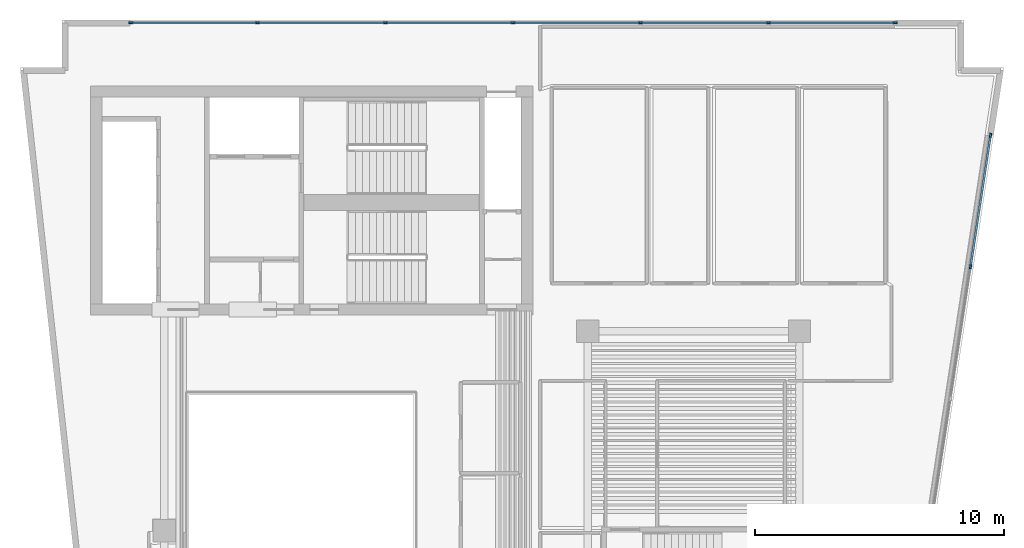
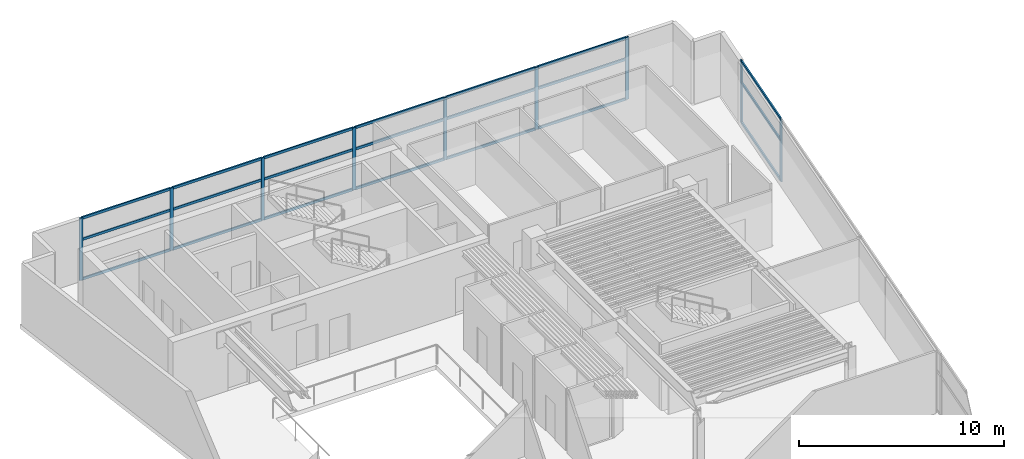
# One storey, part 2 of 8: 30 members, 2 elements without a shape of their own.
"""IFC4 building model written with IfcOpenShell, lengths in metres."""

from ifc_helpers import new_model, si_unit, direction, frame, origin, origin_2d, place, context, subcontext, project, spatial, rectangle, extrude, material, layer, layer_set, material_profile, profile_set, type_object, element, aggregate, save


model = new_model("IFC4")

# Units and contexts
model_context = context("Model", 3, precision=1e-05, world=origin(), true_north=direction((0.0, 1.0)))
body_context = subcontext(model_context, "Body", "Model", "MODEL_VIEW")
ifc_project = project(units=[si_unit("LENGTHUNIT", "METRE"), si_unit("AREAUNIT", "SQUARE_METRE"), si_unit("VOLUMEUNIT", "CUBIC_METRE"), si_unit("PLANEANGLEUNIT", "RADIAN"), si_unit("MASSUNIT", "GRAM", prefix="KILO")], contexts=[model_context])

# Site, building, storey
site_placement = place(None, origin())
site = spatial("IfcSite", under=ifc_project, at=site_placement, CompositionType="ELEMENT")
building_placement = place(site_placement, origin())
building = spatial("IfcBuilding", under=site, at=building_placement, Name="Caeloran Harvest Quay", CompositionType="ELEMENT")
storey_placement = place(building_placement, frame((0.0, 0.0, 243.0)))
storey = spatial("IfcBuildingStorey", under=building, at=storey_placement, Name="L58", CompositionType="ELEMENT", Elevation=243.0)

# Curtain wall, members
ifc_material_1 = material(Name="Aluminium 6063-T6 and Low-E Glazing", Category="aluminium")
ifc_layer = layer(ifc_material_1, 0.219970703125, Name="Aluminium 6063-T6 and Low-E Glazing")
ifc_layer_set = layer_set([ifc_layer], Name="Aluminium 6063-T6 and Low-E Glazing")
curtain_wall_type = type_object("IfcCurtainWallType", Name="CW-SYS-CW-5", PredefinedType="USERDEFINED", material=ifc_layer_set)
curtain_wall_1_placement = place(storey_placement, origin())
curtain_wall_1 = element("IfcCurtainWall", 1, at=curtain_wall_1_placement, inside=storey, type_object=curtain_wall_type, Name="L58 Unitised Curtain Wall CW-5 Run 6", ObjectType="CURTAIN_WALL", PredefinedType="USERDEFINED")
ifc_material_2 = material(Name="Aluminium 6063-T6", Category="aluminium")
ifc_material_profile_1 = material_profile(ifc_material_2, rectangle(XDim=0.080078125, YDim=0.179931640625, at=origin_2d()), Name="CW-MULLION-180")
ifc_profile_set_1 = profile_set([ifc_material_profile_1], Name="Aluminium 6063-T6")
member_type_1 = type_object("IfcMemberType", Name="CW-MULLION-180", PredefinedType="MULLION", material=ifc_profile_set_1)
member_1_placement = place(storey_placement, frame((7.159912109375, 43.3798828125, 0.0), z_axis=(0.0, 0.0, 1.0), x_axis=(0.0, 1.0, 0.0)))
member_1 = element("IfcMember", 2, at=member_1_placement, type_object=member_type_1, Name="CW-5 mullion 1", PredefinedType="MULLION", context=body_context, shape_type="SweptSolid", body=[
    extrude(rectangle(XDim=0.080078125, YDim=0.179931640625, at=origin_2d()), origin(), (0.0, 0.0, 1.0), 3.699951171875),
])
member_2_placement = place(storey_placement, frame((12.24658203125, 43.3798828125, 0.0), z_axis=(0.0, 0.0, 1.0), x_axis=(0.0, 1.0, 0.0)))
member_2 = element("IfcMember", 3, at=member_2_placement, type_object=member_type_1, Name="CW-5 mullion 2", PredefinedType="MULLION", context=body_context, shape_type="SweptSolid", body=[
    extrude(rectangle(XDim=0.080078125, YDim=0.179931640625, at=origin_2d()), origin(), (0.0, 0.0, 1.0), 3.699951171875),
])
member_3_placement = place(storey_placement, frame((17.373291015625, 43.3798828125, 0.0), z_axis=(0.0, 0.0, 1.0), x_axis=(0.0, 1.0, 0.0)))
member_3 = element("IfcMember", 4, at=member_3_placement, type_object=member_type_1, Name="CW-5 mullion 3", PredefinedType="MULLION", context=body_context, shape_type="SweptSolid", body=[
    extrude(rectangle(XDim=0.080078125, YDim=0.179931640625, at=origin_2d()), origin(), (0.0, 0.0, 1.0), 3.699951171875),
])
member_4_placement = place(storey_placement, frame((22.5, 43.3798828125, 0.0), z_axis=(0.0, 0.0, 1.0), x_axis=(0.0, 1.0, 0.0)))
member_4 = element("IfcMember", 5, at=member_4_placement, type_object=member_type_1, Name="CW-5 mullion 4", PredefinedType="MULLION", context=body_context, shape_type="SweptSolid", body=[
    extrude(rectangle(XDim=0.080078125, YDim=0.179931640625, at=origin_2d()), origin(), (0.0, 0.0, 1.0), 3.699951171875),
])
member_5_placement = place(storey_placement, frame((27.626708984375, 43.3798828125, 0.0), z_axis=(0.0, 0.0, 1.0), x_axis=(0.0, 1.0, 0.0)))
member_5 = element("IfcMember", 6, at=member_5_placement, type_object=member_type_1, Name="CW-5 mullion 5", PredefinedType="MULLION", context=body_context, shape_type="SweptSolid", body=[
    extrude(rectangle(XDim=0.080078125, YDim=0.179931640625, at=origin_2d()), origin(), (0.0, 0.0, 1.0), 3.699951171875),
])
member_6_placement = place(storey_placement, frame((32.75341796875, 43.3798828125, 0.0), z_axis=(0.0, 0.0, 1.0), x_axis=(0.0, 1.0, 0.0)))
member_6 = element("IfcMember", 7, at=member_6_placement, type_object=member_type_1, Name="CW-5 mullion 6", PredefinedType="MULLION", context=body_context, shape_type="SweptSolid", body=[
    extrude(rectangle(XDim=0.080078125, YDim=0.179931640625, at=origin_2d()), origin(), (0.0, 0.0, 1.0), 3.699951171875),
])
member_7_placement = place(storey_placement, frame((37.840087890625, 43.3798828125, 0.0), z_axis=(0.0, 0.0, 1.0), x_axis=(0.0, 1.0, 0.0)))
member_7 = element("IfcMember", 8, at=member_7_placement, type_object=member_type_1, Name="CW-5 mullion 7", PredefinedType="MULLION", context=body_context, shape_type="SweptSolid", body=[
    extrude(rectangle(XDim=0.080078125, YDim=0.179931640625, at=origin_2d()), origin(), (0.0, 0.0, 1.0), 3.699951171875),
])

curtain_wall_2_placement = place(storey_placement, origin())
curtain_wall_2 = element("IfcCurtainWall", 9, at=curtain_wall_2_placement, inside=storey, type_object=curtain_wall_type, Name="L58 Unitised Curtain Wall CW-5 Run 9", ObjectType="CURTAIN_WALL", PredefinedType="USERDEFINED")
member_8_placement = place(storey_placement, frame((41.671142578125, 38.870361328125, 0.0), z_axis=(0.0, 0.0, 1.0), x_axis=(0.988529547698, -0.151027591278, 0.0)))
member_8 = element("IfcMember", 10, at=member_8_placement, type_object=member_type_1, Name="CW-5 mullion 1", PredefinedType="MULLION", context=body_context, shape_type="SweptSolid", body=[
    extrude(rectangle(XDim=0.080078125, YDim=0.179931640625, at=origin_2d()), origin(), (0.0, 0.0, 1.0), 3.699951171875),
])
member_9_placement = place(storey_placement, frame((40.8671875, 33.6064453125, 0.0), z_axis=(0.0, 0.0, 1.0), x_axis=(0.988529547698, -0.151027591278, 0.0)))
member_9 = element("IfcMember", 11, at=member_9_placement, type_object=member_type_1, Name="CW-5 mullion 2", PredefinedType="MULLION", context=body_context, shape_type="SweptSolid", body=[
    extrude(rectangle(XDim=0.080078125, YDim=0.179931640625, at=origin_2d()), origin(), (0.0, 0.0, 1.0), 3.699951171875),
])

# Member
ifc_material_profile_2 = material_profile(ifc_material_2, rectangle(XDim=0.080078125, YDim=0.14990234375, at=origin_2d()), Name="CW-TRANSOM-150")
ifc_profile_set_2 = profile_set([ifc_material_profile_2], Name="Aluminium 6063-T6")
member_type_2 = type_object("IfcMemberType", Name="CW-TRANSOM-150", PredefinedType="USERDEFINED", material=ifc_profile_set_2)
member_10_placement = place(storey_placement, frame((7.199951171875, 43.3798828125, 0.0400390625), z_axis=(1.0, 0.0, 0.0), x_axis=(0.0, 1.0, 0.0)))
member_10 = element("IfcMember", 12, at=member_10_placement, type_object=member_type_2, Name="CW-5 transom 1.1", ObjectType="TRANSOM", PredefinedType="USERDEFINED", context=body_context, shape_type="SweptSolid", body=[
    extrude(rectangle(XDim=0.080078125, YDim=0.14990234375, at=origin_2d()), origin(), (0.0, 0.0, 1.0), 5.0068359375),
])

member_11_placement = place(storey_placement, frame((7.199951171875, 43.3798828125, 2.39990234375), z_axis=(1.0, 0.0, 0.0), x_axis=(0.0, 1.0, 0.0)))
member_11 = element("IfcMember", 13, at=member_11_placement, type_object=member_type_2, Name="CW-5 transom 1.2", ObjectType="TRANSOM", PredefinedType="USERDEFINED", context=body_context, shape_type="SweptSolid", body=[
    extrude(rectangle(XDim=0.080078125, YDim=0.14990234375, at=origin_2d()), origin(), (0.0, 0.0, 1.0), 5.0068359375),
])

member_12_placement = place(storey_placement, frame((7.199951171875, 43.3798828125, 3.659912109375), z_axis=(1.0, 0.0, 0.0), x_axis=(0.0, 1.0, 0.0)))
member_12 = element("IfcMember", 14, at=member_12_placement, type_object=member_type_2, Name="CW-5 transom 1.3", ObjectType="TRANSOM", PredefinedType="USERDEFINED", context=body_context, shape_type="SweptSolid", body=[
    extrude(rectangle(XDim=0.080078125, YDim=0.14990234375, at=origin_2d()), origin(), (0.0, 0.0, 1.0), 5.0068359375),
])

member_13_placement = place(storey_placement, frame((12.28662109375, 43.3798828125, 0.0400390625), z_axis=(1.0, 0.0, 0.0), x_axis=(0.0, 1.0, 0.0)))
member_13 = element("IfcMember", 15, at=member_13_placement, type_object=member_type_2, Name="CW-5 transom 2.1", ObjectType="TRANSOM", PredefinedType="USERDEFINED", context=body_context, shape_type="SweptSolid", body=[
    extrude(rectangle(XDim=0.080078125, YDim=0.14990234375, at=origin_2d()), origin(), (0.0, 0.0, 1.0), 5.046630859375),
])

member_14_placement = place(storey_placement, frame((12.28662109375, 43.3798828125, 2.39990234375), z_axis=(1.0, 0.0, 0.0), x_axis=(0.0, 1.0, 0.0)))
member_14 = element("IfcMember", 16, at=member_14_placement, type_object=member_type_2, Name="CW-5 transom 2.2", ObjectType="TRANSOM", PredefinedType="USERDEFINED", context=body_context, shape_type="SweptSolid", body=[
    extrude(rectangle(XDim=0.080078125, YDim=0.14990234375, at=origin_2d()), origin(), (0.0, 0.0, 1.0), 5.046630859375),
])

member_15_placement = place(storey_placement, frame((12.28662109375, 43.3798828125, 3.659912109375), z_axis=(1.0, 0.0, 0.0), x_axis=(0.0, 1.0, 0.0)))
member_15 = element("IfcMember", 17, at=member_15_placement, type_object=member_type_2, Name="CW-5 transom 2.3", ObjectType="TRANSOM", PredefinedType="USERDEFINED", context=body_context, shape_type="SweptSolid", body=[
    extrude(rectangle(XDim=0.080078125, YDim=0.14990234375, at=origin_2d()), origin(), (0.0, 0.0, 1.0), 5.046630859375),
])

member_16_placement = place(storey_placement, frame((17.413330078125, 43.3798828125, 0.0400390625), z_axis=(1.0, 0.0, 0.0), x_axis=(0.0, 1.0, 0.0)))
member_16 = element("IfcMember", 18, at=member_16_placement, type_object=member_type_2, Name="CW-5 transom 3.1", ObjectType="TRANSOM", PredefinedType="USERDEFINED", context=body_context, shape_type="SweptSolid", body=[
    extrude(rectangle(XDim=0.080078125, YDim=0.14990234375, at=origin_2d()), origin(), (0.0, 0.0, 1.0), 5.046630859375),
])

member_17_placement = place(storey_placement, frame((17.413330078125, 43.3798828125, 2.39990234375), z_axis=(1.0, 0.0, 0.0), x_axis=(0.0, 1.0, 0.0)))
member_17 = element("IfcMember", 19, at=member_17_placement, type_object=member_type_2, Name="CW-5 transom 3.2", ObjectType="TRANSOM", PredefinedType="USERDEFINED", context=body_context, shape_type="SweptSolid", body=[
    extrude(rectangle(XDim=0.080078125, YDim=0.14990234375, at=origin_2d()), origin(), (0.0, 0.0, 1.0), 5.046630859375),
])

member_18_placement = place(storey_placement, frame((17.413330078125, 43.3798828125, 3.659912109375), z_axis=(1.0, 0.0, 0.0), x_axis=(0.0, 1.0, 0.0)))
member_18 = element("IfcMember", 20, at=member_18_placement, type_object=member_type_2, Name="CW-5 transom 3.3", ObjectType="TRANSOM", PredefinedType="USERDEFINED", context=body_context, shape_type="SweptSolid", body=[
    extrude(rectangle(XDim=0.080078125, YDim=0.14990234375, at=origin_2d()), origin(), (0.0, 0.0, 1.0), 5.046630859375),
])

member_19_placement = place(storey_placement, frame((22.5400390625, 43.3798828125, 0.0400390625), z_axis=(1.0, 0.0, 0.0), x_axis=(0.0, 1.0, 0.0)))
member_19 = element("IfcMember", 21, at=member_19_placement, type_object=member_type_2, Name="CW-5 transom 4.1", ObjectType="TRANSOM", PredefinedType="USERDEFINED", context=body_context, shape_type="SweptSolid", body=[
    extrude(rectangle(XDim=0.080078125, YDim=0.14990234375, at=origin_2d()), origin(), (0.0, 0.0, 1.0), 5.046630859375),
])

member_20_placement = place(storey_placement, frame((22.5400390625, 43.3798828125, 2.39990234375), z_axis=(1.0, 0.0, 0.0), x_axis=(0.0, 1.0, 0.0)))
member_20 = element("IfcMember", 22, at=member_20_placement, type_object=member_type_2, Name="CW-5 transom 4.2", ObjectType="TRANSOM", PredefinedType="USERDEFINED", context=body_context, shape_type="SweptSolid", body=[
    extrude(rectangle(XDim=0.080078125, YDim=0.14990234375, at=origin_2d()), origin(), (0.0, 0.0, 1.0), 5.046630859375),
])

member_21_placement = place(storey_placement, frame((22.5400390625, 43.3798828125, 3.659912109375), z_axis=(1.0, 0.0, 0.0), x_axis=(0.0, 1.0, 0.0)))
member_21 = element("IfcMember", 23, at=member_21_placement, type_object=member_type_2, Name="CW-5 transom 4.3", ObjectType="TRANSOM", PredefinedType="USERDEFINED", context=body_context, shape_type="SweptSolid", body=[
    extrude(rectangle(XDim=0.080078125, YDim=0.14990234375, at=origin_2d()), origin(), (0.0, 0.0, 1.0), 5.046630859375),
])

member_22_placement = place(storey_placement, frame((27.666748046875, 43.3798828125, 0.0400390625), z_axis=(1.0, 0.0, 0.0), x_axis=(0.0, 1.0, 0.0)))
member_22 = element("IfcMember", 24, at=member_22_placement, type_object=member_type_2, Name="CW-5 transom 5.1", ObjectType="TRANSOM", PredefinedType="USERDEFINED", context=body_context, shape_type="SweptSolid", body=[
    extrude(rectangle(XDim=0.080078125, YDim=0.14990234375, at=origin_2d()), origin(), (0.0, 0.0, 1.0), 5.046630859375),
])

member_23_placement = place(storey_placement, frame((27.666748046875, 43.3798828125, 2.39990234375), z_axis=(1.0, 0.0, 0.0), x_axis=(0.0, 1.0, 0.0)))
member_23 = element("IfcMember", 25, at=member_23_placement, type_object=member_type_2, Name="CW-5 transom 5.2", ObjectType="TRANSOM", PredefinedType="USERDEFINED", context=body_context, shape_type="SweptSolid", body=[
    extrude(rectangle(XDim=0.080078125, YDim=0.14990234375, at=origin_2d()), origin(), (0.0, 0.0, 1.0), 5.046630859375),
])

member_24_placement = place(storey_placement, frame((27.666748046875, 43.3798828125, 3.659912109375), z_axis=(1.0, 0.0, 0.0), x_axis=(0.0, 1.0, 0.0)))
member_24 = element("IfcMember", 26, at=member_24_placement, type_object=member_type_2, Name="CW-5 transom 5.3", ObjectType="TRANSOM", PredefinedType="USERDEFINED", context=body_context, shape_type="SweptSolid", body=[
    extrude(rectangle(XDim=0.080078125, YDim=0.14990234375, at=origin_2d()), origin(), (0.0, 0.0, 1.0), 5.046630859375),
])

member_25_placement = place(storey_placement, frame((32.793212890625, 43.3798828125, 0.0400390625), z_axis=(1.0, 0.0, 0.0), x_axis=(0.0, 1.0, 0.0)))
member_25 = element("IfcMember", 27, at=member_25_placement, type_object=member_type_2, Name="CW-5 transom 6.1", ObjectType="TRANSOM", PredefinedType="USERDEFINED", context=body_context, shape_type="SweptSolid", body=[
    extrude(rectangle(XDim=0.080078125, YDim=0.14990234375, at=origin_2d()), origin(), (0.0, 0.0, 1.0), 5.0068359375),
])

member_26_placement = place(storey_placement, frame((32.793212890625, 43.3798828125, 2.39990234375), z_axis=(1.0, 0.0, 0.0), x_axis=(0.0, 1.0, 0.0)))
member_26 = element("IfcMember", 28, at=member_26_placement, type_object=member_type_2, Name="CW-5 transom 6.2", ObjectType="TRANSOM", PredefinedType="USERDEFINED", context=body_context, shape_type="SweptSolid", body=[
    extrude(rectangle(XDim=0.080078125, YDim=0.14990234375, at=origin_2d()), origin(), (0.0, 0.0, 1.0), 5.0068359375),
])

member_27_placement = place(storey_placement, frame((32.793212890625, 43.3798828125, 3.659912109375), z_axis=(1.0, 0.0, 0.0), x_axis=(0.0, 1.0, 0.0)))
member_27 = element("IfcMember", 29, at=member_27_placement, type_object=member_type_2, Name="CW-5 transom 6.3", ObjectType="TRANSOM", PredefinedType="USERDEFINED", context=body_context, shape_type="SweptSolid", body=[
    extrude(rectangle(XDim=0.080078125, YDim=0.14990234375, at=origin_2d()), origin(), (0.0, 0.0, 1.0), 5.0068359375),
])

aggregate(curtain_wall_1, [member_1, member_2, member_3, member_4, member_5, member_6, member_7, member_10, member_11, member_12, member_13, member_14, member_15, member_16, member_17, member_18, member_19, member_20, member_21, member_22, member_23, member_24, member_25, member_26, member_27])

member_28_placement = place(storey_placement, frame((41.665283203125, 38.830810546875, 0.0400390625), z_axis=(-0.151046246318, -0.9885266974, 0.0), x_axis=(0.9885266974, -0.151046246318, 0.0)))
member_28 = element("IfcMember", 30, at=member_28_placement, type_object=member_type_2, Name="CW-5 transom 1.1", ObjectType="TRANSOM", PredefinedType="USERDEFINED", context=body_context, shape_type="SweptSolid", body=[
    extrude(rectangle(XDim=0.080078125, YDim=0.14990234375, at=origin_2d()), origin(), (0.0, 0.0, 1.0), 5.244873046875),
])

member_29_placement = place(storey_placement, frame((41.665283203125, 38.830810546875, 2.39990234375), z_axis=(-0.151046246318, -0.9885266974, 0.0), x_axis=(0.9885266974, -0.151046246318, 0.0)))
member_29 = element("IfcMember", 31, at=member_29_placement, type_object=member_type_2, Name="CW-5 transom 1.2", ObjectType="TRANSOM", PredefinedType="USERDEFINED", context=body_context, shape_type="SweptSolid", body=[
    extrude(rectangle(XDim=0.080078125, YDim=0.14990234375, at=origin_2d()), origin(), (0.0, 0.0, 1.0), 5.244873046875),
])

member_30_placement = place(storey_placement, frame((41.665283203125, 38.830810546875, 3.659912109375), z_axis=(-0.151046246318, -0.9885266974, 0.0), x_axis=(0.9885266974, -0.151046246318, 0.0)))
member_30 = element("IfcMember", 32, at=member_30_placement, type_object=member_type_2, Name="CW-5 transom 1.3", ObjectType="TRANSOM", PredefinedType="USERDEFINED", context=body_context, shape_type="SweptSolid", body=[
    extrude(rectangle(XDim=0.080078125, YDim=0.14990234375, at=origin_2d()), origin(), (0.0, 0.0, 1.0), 5.244873046875),
])

aggregate(curtain_wall_2, [member_8, member_9, member_28, member_29, member_30])

save(model, "model.ifc")
